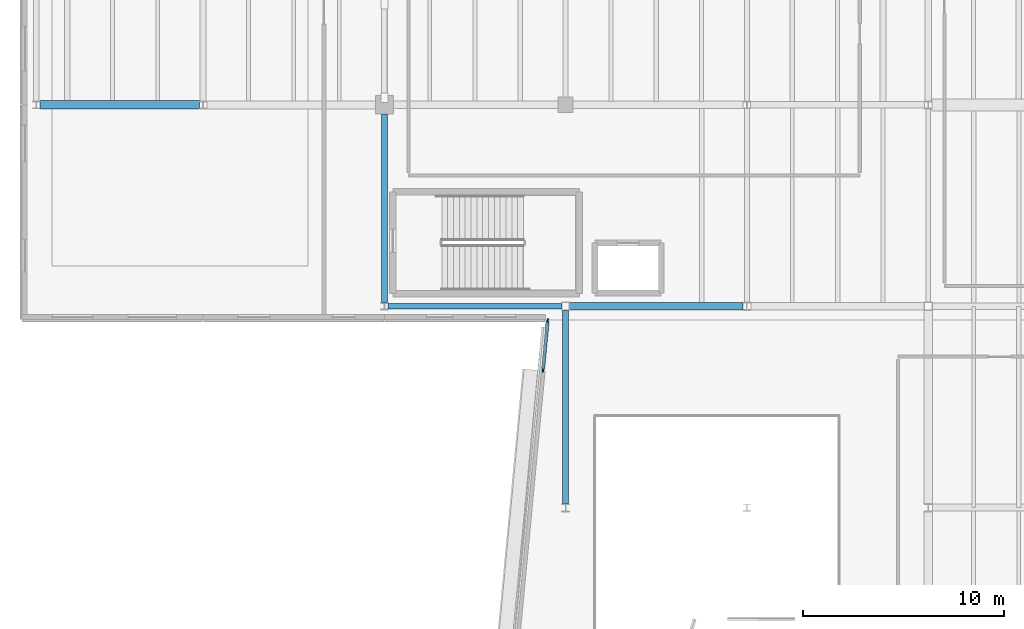
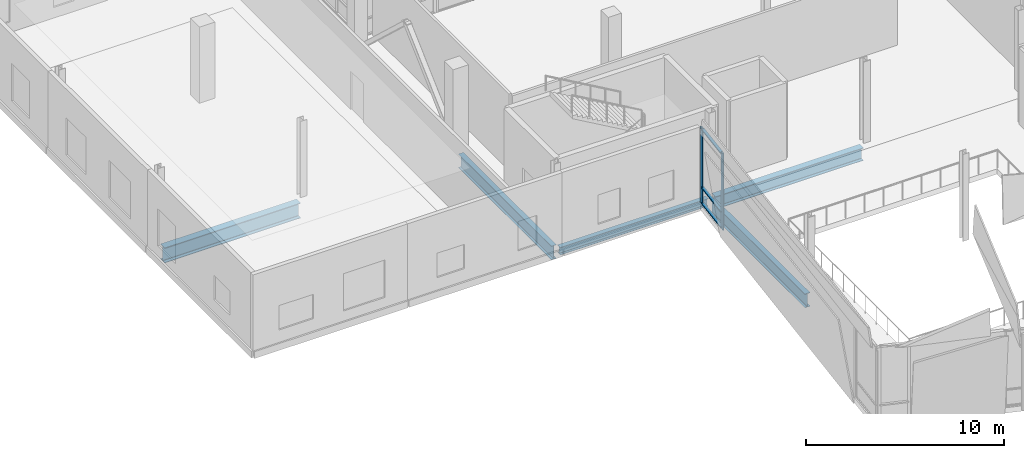
# One storey, part 13 of 60: 5 beams, 5 members, 1 element without a shape of its own.
"""IFC4 building model written with IfcOpenShell, lengths in metres."""

from ifc_helpers import new_model, si_unit, direction, frame, origin, origin_2d, place, context, subcontext, project, spatial, rectangle, i_section, extrude, material, material_profile, profile_set, type_object, element, aggregate, save


model = new_model("IFC4")

# Units and contexts
model_context = context("Model", 3, precision=1e-05, world=origin(), true_north=direction((0.0, 1.0)))
body_context = subcontext(model_context, "Body", "Model", "MODEL_VIEW")
ifc_project = project(units=[si_unit("LENGTHUNIT", "METRE"), si_unit("AREAUNIT", "SQUARE_METRE"), si_unit("VOLUMEUNIT", "CUBIC_METRE"), si_unit("PLANEANGLEUNIT", "RADIAN"), si_unit("MASSUNIT", "GRAM", prefix="KILO")], contexts=[model_context])

# Site, building, storey
site_placement = place(None, origin())
site = spatial("IfcSite", under=ifc_project, at=site_placement, CompositionType="ELEMENT")
building_placement = place(site_placement, origin())
building = spatial("IfcBuilding", under=site, at=building_placement, Name="Trimount Lyric Opera House", CompositionType="ELEMENT")
storey_placement = place(building_placement, frame((0.0, 0.0, 15.0)))
storey = spatial("IfcBuildingStorey", under=building, at=storey_placement, Name="L03", CompositionType="ELEMENT", Elevation=15.0)

# Beams
ifc_material_1 = material(Name="Steel ASTM A992 Grade 50", Category="steel")
ifc_material_profile_1 = material_profile(ifc_material_1, i_section(OverallWidth=0.4189453125, OverallDepth=0.927001953125, WebThickness=0.019287109375, FlangeThickness=0.031982421875, FilletRadius=0.02392578125, at=origin_2d()), Name="W36X231")
ifc_profile_set_1 = profile_set([ifc_material_profile_1], Name="Steel ASTM A992 Grade 50")
beam_type_1 = type_object("IfcBeamType", Name="B-02", PredefinedType="BEAM", material=ifc_profile_set_1)
beam_1_placement = place(storey_placement, frame((0.904052734375, 64.0, -0.743408203125), z_axis=(1.0, 0.0, 0.0), x_axis=(0.0, 1.0, 0.0)))
element("IfcBeam", 1, at=beam_1_placement, inside=storey, type_object=beam_type_1, Name="L03 girder X-0967", PredefinedType="BEAM", context=body_context, shape_type="SweptSolid", body=[
    extrude(i_section(OverallWidth=0.4189453125, OverallDepth=0.927001953125, WebThickness=0.019287109375, FlangeThickness=0.031982421875, FilletRadius=0.02392578125, at=origin_2d()), origin(), (0.0, 0.0, 1.0), 7.909423828125),
])
ifc_material_2 = material(Name="Steel ASTM A992 Grade 50", Category="steel")
ifc_material_profile_2 = material_profile(ifc_material_2, i_section(OverallWidth=0.2919921875, OverallDepth=0.845947265625, WebThickness=0.015380859375, FlangeThickness=0.0244140625, FilletRadius=0.01806640625, at=origin_2d()), Name="W33X141")
ifc_profile_set_2 = profile_set([ifc_material_profile_2], Name="Steel ASTM A992 Grade 50")
beam_type_2 = type_object("IfcBeamType", Name="B-05", PredefinedType="BEAM", material=ifc_profile_set_2)
beam_2_placement = place(storey_placement, frame((18.0, 54.18408203125, -0.702880859375), z_axis=(0.0, 1.0, 0.0), x_axis=(-1.0, 0.0, 0.0)))
element("IfcBeam", 2, at=beam_2_placement, inside=storey, type_object=beam_type_2, Name="L03 girder Y-1039", PredefinedType="BEAM", context=body_context, shape_type="SweptSolid", body=[
    extrude(i_section(OverallWidth=0.2919921875, OverallDepth=0.845947265625, WebThickness=0.015380859375, FlangeThickness=0.0244140625, FilletRadius=0.01806640625, at=origin_2d()), origin(), (0.0, 0.0, 1.0), 9.365966796875),
])
beam_3_placement = place(storey_placement, frame((27.0, 44.20849609375, -0.748046875), z_axis=(0.0, 1.0, 0.0), x_axis=(-1.0, 0.0, 0.0)))
element("IfcBeam", 3, at=beam_3_placement, inside=storey, type_object=beam_type_2, Name="L03 girder Y-1046", PredefinedType="BEAM", context=body_context, shape_type="SweptSolid", body=[
    extrude(i_section(OverallWidth=0.2919921875, OverallDepth=0.845947265625, WebThickness=0.015380859375, FlangeThickness=0.0244140625, FilletRadius=0.01806640625, at=origin_2d()), origin(), (0.0, 0.0, 1.0), 9.58837890625),
])
ifc_material_3 = material(Name="Steel ASTM A992 Grade 50", Category="steel")
ifc_material_profile_3 = material_profile(ifc_material_3, i_section(OverallWidth=0.382080078125, OverallDepth=0.779052734375, WebThickness=0.01806640625, FlangeThickness=0.0302734375, FilletRadius=0.01904296875, at=origin_2d()), Name="W30X191")
ifc_profile_set_3 = profile_set([ifc_material_profile_3], Name="Steel ASTM A992 Grade 50")
beam_type_3 = type_object("IfcBeamType", Name="B-06", PredefinedType="BEAM", material=ifc_profile_set_3)
beam_4_placement = place(storey_placement, frame((27.203125, 54.0, -0.66943359375), z_axis=(1.0, 0.0, 0.0), x_axis=(0.0, 1.0, 0.0)))
element("IfcBeam", 4, at=beam_4_placement, inside=storey, type_object=beam_type_3, Name="L03 girder X-0955", PredefinedType="BEAM", context=body_context, shape_type="SweptSolid", body=[
    extrude(i_section(OverallWidth=0.382080078125, OverallDepth=0.779052734375, WebThickness=0.01806640625, FlangeThickness=0.0302734375, FilletRadius=0.01904296875, at=origin_2d()), origin(), (0.0, 0.0, 1.0), 8.593994140625),
])

# Curtain wall, members
ifc_material_4 = material(Name="Thermally Broken Aluminium and Low-E Glass", Category="aluminium")
curtain_wall_type = type_object("IfcCurtainWallType", Name="CW-02", PredefinedType="NOTDEFINED", material=ifc_material_4)
curtain_wall_placement = place(storey_placement, origin())
curtain_wall = element("IfcCurtainWall", 5, at=curtain_wall_placement, inside=storey, type_object=curtain_wall_type, Name="L03 crystal fold glazed slit 246", PredefinedType="NOTDEFINED")
ifc_material_5 = material(Name="Anodised Aluminium 6063-T6", Category="aluminium")
ifc_material_profile_4 = material_profile(ifc_material_5, rectangle(XDim=0.070068359375, YDim=0.219970703125, at=origin_2d()), Name="ALU-MULL-70X220")
ifc_profile_set_4 = profile_set([ifc_material_profile_4], Name="Anodised Aluminium 6063-T6")
member_type_1 = type_object("IfcMemberType", Name="ML-01", PredefinedType="MULLION", material=ifc_profile_set_4)
member_1_placement = place(storey_placement, frame((25.874267578125, 50.825927734375, 0.0), z_axis=(0.0, 0.0, 1.0), x_axis=(-0.995529157632, 0.094454731514, 0.0)))
member_1 = element("IfcMember", 6, at=member_1_placement, type_object=member_type_1, Name="CW-02 mullion 1", PredefinedType="MULLION", context=body_context, shape_type="SweptSolid", body=[
    extrude(rectangle(XDim=0.070068359375, YDim=0.219970703125, at=origin_2d()), origin(), (0.0, 0.0, 1.0), 4.719970703125),
])
member_2_placement = place(storey_placement, frame((26.106689453125, 53.275146484375, 0.0), z_axis=(0.0, 0.0, 1.0), x_axis=(-0.995529157632, 0.094454731514, 0.0)))
member_2 = element("IfcMember", 7, at=member_2_placement, type_object=member_type_1, Name="CW-02 mullion 2", PredefinedType="MULLION", context=body_context, shape_type="SweptSolid", body=[
    extrude(rectangle(XDim=0.070068359375, YDim=0.219970703125, at=origin_2d()), origin(), (0.0, 0.0, 1.0), 4.719970703125),
])

# Beam
ifc_material_6 = material(Name="Steel ASTM A992 Grade 50", Category="steel")
ifc_material_profile_5 = material_profile(ifc_material_6, i_section(OverallWidth=0.281982421875, OverallDepth=0.467041015625, WebThickness=0.01220703125, FlangeThickness=0.01953125, FilletRadius=0.012939453125, at=origin_2d()), Name="W18X86")
ifc_profile_set_5 = profile_set([ifc_material_profile_5], Name="Steel ASTM A992 Grade 50")
beam_type_4 = type_object("IfcBeamType", Name="SP-01", PredefinedType="SPANDREL", material=ifc_profile_set_5)
beam_5_placement = place(storey_placement, frame((18.1865234375, 54.0, -0.513427734375), z_axis=(1.0, 0.0, 0.0), x_axis=(0.0, 1.0, 0.0)))
element("IfcBeam", 8, at=beam_5_placement, inside=storey, type_object=beam_type_4, Name="L03 girder X-0954", PredefinedType="SPANDREL", context=body_context, shape_type="SweptSolid", body=[
    extrude(i_section(OverallWidth=0.281982421875, OverallDepth=0.467041015625, WebThickness=0.01220703125, FlangeThickness=0.01953125, FilletRadius=0.012939453125, at=origin_2d()), origin(), (0.0, 0.0, 1.0), 8.6103515625),
])

# Member
ifc_material_7 = material(Name="Anodised Aluminium 6063-T6", Category="aluminium")
ifc_material_profile_6 = material_profile(ifc_material_7, rectangle(XDim=0.159912109375, YDim=0.070068359375, at=origin_2d()), Name="ALU-TRAN-70X160")
ifc_profile_set_6 = profile_set([ifc_material_profile_6], Name="Anodised Aluminium 6063-T6")
member_type_2 = type_object("IfcMemberType", Name="TR-01", PredefinedType="USERDEFINED", material=ifc_profile_set_6)
member_3_placement = place(storey_placement, frame((25.877685546875, 50.860595703125, 0.080078125), z_axis=(0.094375285074, 0.995536692225, 0.0), x_axis=(-0.995536692225, 0.094375285074, 0.0)))
member_3 = element("IfcMember", 9, at=member_3_placement, type_object=member_type_2, Name="CW-02 transom 1.1", ObjectType="TRANSOM", PredefinedType="USERDEFINED", context=body_context, shape_type="SweptSolid", body=[
    extrude(rectangle(XDim=0.159912109375, YDim=0.070068359375, at=origin_2d()), origin(), (0.0, 0.0, 1.0), 2.390380859375),
])

member_4_placement = place(storey_placement, frame((25.877685546875, 50.860595703125, 1.050048828125), z_axis=(0.094375285074, 0.995536692225, 0.0), x_axis=(-0.995536692225, 0.094375285074, 0.0)))
member_4 = element("IfcMember", 10, at=member_4_placement, type_object=member_type_2, Name="CW-02 transom 1.2", ObjectType="TRANSOM", PredefinedType="USERDEFINED", context=body_context, shape_type="SweptSolid", body=[
    extrude(rectangle(XDim=0.159912109375, YDim=0.070068359375, at=origin_2d()), origin(), (0.0, 0.0, 1.0), 2.390380859375),
])

member_5_placement = place(storey_placement, frame((25.877685546875, 50.860595703125, 4.639892578125), z_axis=(0.094375285074, 0.995536692225, 0.0), x_axis=(-0.995536692225, 0.094375285074, 0.0)))
member_5 = element("IfcMember", 11, at=member_5_placement, type_object=member_type_2, Name="CW-02 transom 1.3", ObjectType="TRANSOM", PredefinedType="USERDEFINED", context=body_context, shape_type="SweptSolid", body=[
    extrude(rectangle(XDim=0.159912109375, YDim=0.070068359375, at=origin_2d()), origin(), (0.0, 0.0, 1.0), 2.390380859375),
])

aggregate(curtain_wall, [member_1, member_2, member_3, member_4, member_5])

save(model, "model.ifc")
